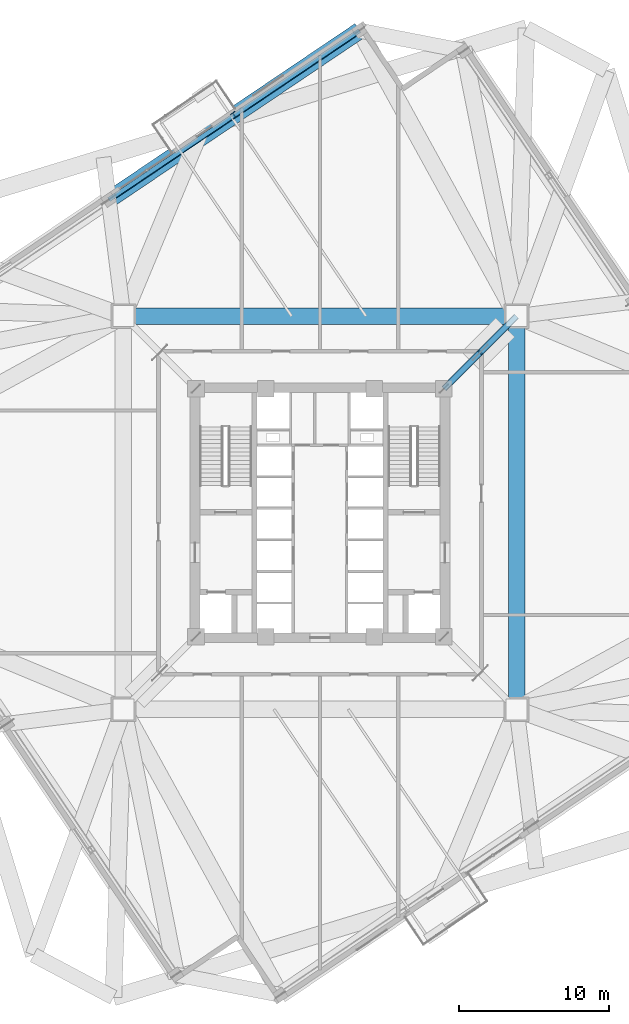
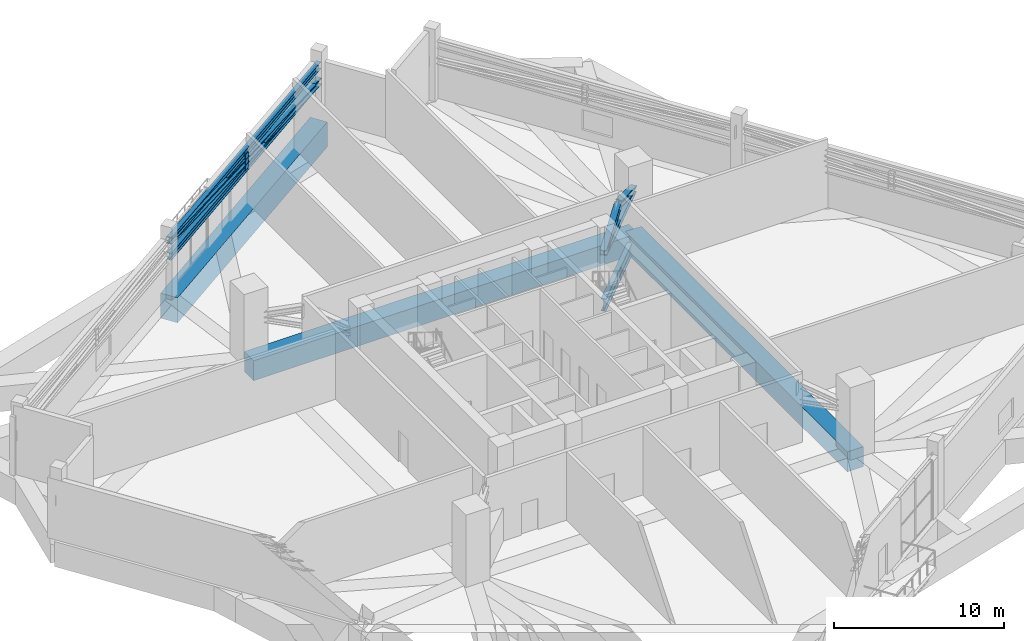
# One storey, part 9 of 21: 7 members, 4 beams.
"""IFC4 building model written with IfcOpenShell, lengths in metres."""

from ifc_helpers import new_model, si_unit, direction, frame, origin, origin_2d, place, context, subcontext, project, spatial, rectangle, i_section, extrude, source, transform, mapped, material, material_profile, profile_set, type_object, element, save


model = new_model("IFC4")

# Units and contexts
model_context = context("Model", 3, precision=1e-05, world=origin(), true_north=direction((0.0, 1.0)))
body_context = subcontext(model_context, "Body", "Model", "MODEL_VIEW")
ifc_project = project(units=[si_unit("LENGTHUNIT", "METRE"), si_unit("AREAUNIT", "SQUARE_METRE"), si_unit("VOLUMEUNIT", "CUBIC_METRE"), si_unit("PLANEANGLEUNIT", "RADIAN"), si_unit("MASSUNIT", "GRAM", prefix="KILO"), si_unit("THERMODYNAMICTEMPERATUREUNIT", "KELVIN")], contexts=[model_context])

# Site, building, storey
site_placement = place(None, origin())
site = spatial("IfcSite", under=ifc_project, at=site_placement, CompositionType="ELEMENT")
building_placement = place(site_placement, origin())
building = spatial("IfcBuilding", under=site, at=building_placement, Name="Kosmvard Interchange Tower", CompositionType="ELEMENT")
storey_placement = place(building_placement, frame((0.0, 0.0, 139.199951171875)))
storey = spatial("IfcBuildingStorey", under=building, at=storey_placement, Name="L33", CompositionType="ELEMENT", Elevation=139.199951171875)

# Beams
ifc_material_1 = material(Name="Steel S460", Category="steel")
ifc_material_profile_1 = material_profile(ifc_material_1, i_section(OverallWidth=0.30810546875, OverallDepth=0.909912109375, WebThickness=0.02099609375, FlangeThickness=0.0400390625, FilletRadius=0.027099609375, at=origin_2d()), Name="HEM 900")
ifc_profile_set_1 = profile_set([ifc_material_profile_1], Name="Steel S460")
beam_type_1 = type_object("IfcBeamType", Name="Primary Mega-Frame Girder HEM 900 S460", PredefinedType="BEAM", material=ifc_profile_set_1)
shared_shape_1 = source(origin(), body_context, "Body", "SweptSolid", [
    extrude(i_section(OverallWidth=0.30810546875, OverallDepth=0.909912109375, WebThickness=0.02099609375, FlangeThickness=0.0400390625, FilletRadius=0.027099609375, at=origin_2d()), origin(), (0.0, 0.0, 1.0), 6.83203125),
])
beam_1_placement = place(storey_placement, frame((8.25, 8.25, -0.85498046875), z_axis=(0.707106781187, 0.707106781187, 0.0), x_axis=(-0.707106781187, 0.707106781187, 0.0)))
element("IfcBeam", 1, at=beam_1_placement, inside=storey, type_object=beam_type_1, Name="L33 Radial Mega-Frame Girder 3", PredefinedType="BEAM", context=body_context, shape_type="MappedRepresentation", body=[
    mapped(shared_shape_1, transform((0.0, 0.0, 0.0), scale=1.0)),
])
ifc_material_2 = material(Name="Concrete C70/85", Category="concrete")
ifc_material_profile_2 = material_profile(ifc_material_2, rectangle(XDim=1.10009765625, YDim=1.43994140625, at=origin_2d()), Name="TG 1100x1440")
ifc_profile_set_2 = profile_set([ifc_material_profile_2], Name="Concrete C70/85")
beam_type_2 = type_object("IfcBeamType", Name="Mega-Frame Transfer Ring Girder 1100x1440 C70/85", PredefinedType="USERDEFINED", material=ifc_profile_set_2)
shared_shape_2 = source(origin(), body_context, "Body", "SweptSolid", [
    extrude(rectangle(XDim=1.10009765625, YDim=1.43994140625, at=origin_2d()), origin(), (0.0, 0.0, 1.0), 26.162109375),
])
for number, where, z_axis, x_axis, name in (
    (2, (13.0810546875, -13.0810546875, -0.719970703125), (0.0, 1.0, 0.0), (-1.0, 0.0, 0.0), "L33 Mega-Column Ring Girder 2"),
    (3, (13.0810546875, 13.0810546875, -0.719970703125), (-1.0, 0.0, 0.0), (0.0, -1.0, 0.0), "L33 Mega-Column Ring Girder 3"),
):
    element("IfcBeam", number, at=place(storey_placement, frame(where, z_axis=z_axis, x_axis=x_axis)), inside=storey, type_object=beam_type_2, Name=name, ObjectType="TRANSFER_GIRDER", PredefinedType="USERDEFINED", context=body_context, shape_type="MappedRepresentation", body=[
        mapped(shared_shape_2, transform((0.0, 0.0, 0.0), scale=1.0)),
    ])

# Members
ifc_material_profile_3 = material_profile(ifc_material_1, i_section(OverallWidth=0.40087890625, OverallDepth=0.39892578125, WebThickness=0.0185546875, FlangeThickness=0.028076171875, FilletRadius=0.014892578125, at=origin_2d()), Name="HD 400x314")
ifc_profile_set_3 = profile_set([ifc_material_profile_3], Name="Steel S460")
member_type_1 = type_object("IfcMemberType", Name="Outrigger Top and Bottom Chord HD 400x314 S460", PredefinedType="CHORD", material=ifc_profile_set_3)
shared_shape_3 = source(origin(), body_context, "Body", "SweptSolid", [
    extrude(i_section(OverallWidth=0.40087890625, OverallDepth=0.39892578125, WebThickness=0.0185546875, FlangeThickness=0.028076171875, FilletRadius=0.014892578125, at=origin_2d()), origin(), (0.0, 0.0, 1.0), 6.83203125),
])
member_1_placement = place(storey_placement, frame((8.25, 8.25, 2.920166015625), z_axis=(0.707106781187, 0.707106781187, 0.0), x_axis=(-0.707106781187, 0.707106781187, 0.0)))
element("IfcMember", 4, at=member_1_placement, inside=storey, type_object=member_type_1, Name="L33 Outrigger Bottom Chord 3", PredefinedType="CHORD", context=body_context, shape_type="MappedRepresentation", body=[
    mapped(shared_shape_3, transform((0.0, 0.0, 0.0), scale=1.0)),
])
ifc_material_profile_4 = material_profile(ifc_material_1, i_section(OverallWidth=0.3759765625, OverallDepth=0.386962890625, WebThickness=0.01953125, FlangeThickness=0.031982421875, FilletRadius=0.014892578125, at=origin_2d()), Name="HD 360x329")
ifc_profile_set_4 = profile_set([ifc_material_profile_4], Name="Steel S460")
member_type_2 = type_object("IfcMemberType", Name="Belt Truss Vertical Post HD 360x329 S460", PredefinedType="STUD", material=ifc_profile_set_4)
shared_shape_4 = source(origin(), body_context, "Body", "SweptSolid", [
    extrude(i_section(OverallWidth=0.3759765625, OverallDepth=0.386962890625, WebThickness=0.01953125, FlangeThickness=0.031982421875, FilletRadius=0.014892578125, at=origin_2d()), origin(), (0.0, 0.0, 1.0), 1.139892578125),
])
member_2_placement = place(storey_placement, frame((-5.70751953125, 26.45654296875, 2.820068359375), z_axis=(0.0, 0.0, 1.0), x_axis=(0.829037572555, 0.559192903471, 0.0)))
element("IfcMember", 5, at=member_2_placement, inside=storey, type_object=member_type_2, Name="L33 Belt Truss Post N1", PredefinedType="STUD", context=body_context, shape_type="MappedRepresentation", body=[
    mapped(shared_shape_4, transform((0.0, 0.0, 0.0), scale=1.0)),
])

# Beam
ifc_material_3 = material(Name="Concrete C60/75", Category="concrete")
ifc_material_profile_5 = material_profile(ifc_material_3, rectangle(XDim=1.1201171875, YDim=1.800048828125, at=origin_2d()), Name="TG 1120x1800")
ifc_profile_set_5 = profile_set([ifc_material_profile_5], Name="Concrete C60/75")
beam_type_3 = type_object("IfcBeamType", Name="Zone Long-Span Transfer Girder 1120x1800 C60/75", PredefinedType="USERDEFINED", material=ifc_profile_set_5)
shared_shape_5 = source(origin(), body_context, "Body", "SweptSolid", [
    extrude(rectangle(XDim=1.1201171875, YDim=1.800048828125, at=origin_2d()), origin(), (0.0, 0.0, 1.0), 20.125),
])
beam_2_placement = place(storey_placement, frame((2.634765625, 32.083251953125, -0.89990234375), z_axis=(-0.82904270175, -0.559185299051, 0.0), x_axis=(0.559185299051, -0.82904270175, 0.0)))
element("IfcBeam", 6, at=beam_2_placement, inside=storey, type_object=beam_type_3, Name="BM-L33-PR07", ObjectType="TRANSFER_GIRDER", PredefinedType="USERDEFINED", context=body_context, shape_type="MappedRepresentation", body=[
    mapped(shared_shape_5, transform((0.0, 0.0, 0.0), scale=1.0)),
])

# Members
ifc_material_profile_6 = material_profile(ifc_material_1, i_section(OverallWidth=0.408935546875, OverallDepth=0.425048828125, WebThickness=0.02392578125, FlangeThickness=0.0390625, FilletRadius=0.014892578125, at=origin_2d()), Name="HD 400x421")
ifc_profile_set_6 = profile_set([ifc_material_profile_6], Name="Steel S460")
member_type_3 = type_object("IfcMemberType", Name="Radial Outrigger Diagonal HD 400x421 S460", PredefinedType="BRACE", material=ifc_profile_set_6)
shared_shape_6 = source(origin(), body_context, "Body", "SweptSolid", [
    extrude(i_section(OverallWidth=0.408935546875, OverallDepth=0.425048828125, WebThickness=0.02392578125, FlangeThickness=0.0390625, FilletRadius=0.014892578125, at=origin_2d()), origin(), (0.0, 0.0, 1.0), 3.62744140625),
])
for number, where, z_axis, x_axis, name in (
    (7, (8.25, 8.25, 2.920166015625), (0.665915478014, 0.665915478014, 0.336322988037), (-0.707106781187, 0.707106781187, 0.0), "L33 Outrigger Diagonal 3A"),
    (8, (10.66552734375, 10.66552734375, 4.14013671875), (0.665915478014, 0.665915478014, -0.336322988037), (-0.707106781187, 0.707106781187, 0.0), "L33 Outrigger Diagonal 3B"),
):
    element("IfcMember", number, at=place(storey_placement, frame(where, z_axis=z_axis, x_axis=x_axis)), inside=storey, type_object=member_type_3, Name=name, PredefinedType="BRACE", context=body_context, shape_type="MappedRepresentation", body=[
        mapped(shared_shape_6, transform((0.0, 0.0, 0.0), scale=1.0)),
    ])
ifc_material_profile_7 = material_profile(ifc_material_1, i_section(OverallWidth=0.300048828125, OverallDepth=0.5, WebThickness=0.014404296875, FlangeThickness=0.028076171875, FilletRadius=0.027099609375, at=origin_2d()), Name="HEB 500")
ifc_profile_set_7 = profile_set([ifc_material_profile_7], Name="Steel S460")
member_type_4 = type_object("IfcMemberType", Name="Belt Truss Chord HEB 500 S460", PredefinedType="CHORD", material=ifc_profile_set_7)
shared_shape_7 = source(origin(), body_context, "Body", "SweptSolid", [
    extrude(i_section(OverallWidth=0.300048828125, OverallDepth=0.5, WebThickness=0.014404296875, FlangeThickness=0.028076171875, FilletRadius=0.027099609375, at=origin_2d()), origin(), (0.0, 0.0, 1.0), 20.125),
])
for number, where, z_axis, x_axis, name in (
    (9, (2.634765625, 32.083251953125, 2.820068359375), (-0.82904270175, -0.559185299051, 0.0), (0.559185299051, -0.82904270175, 0.0), "L33 Belt Truss Bottom Chord N1"),
    (10, (2.634765625, 32.083251953125, 3.9599609375), (-0.82904270175, -0.559185299051, 0.0), (0.559185299051, -0.82904270175, 0.0), "L33 Belt Truss Top Chord N1"),
):
    element("IfcMember", number, at=place(storey_placement, frame(where, z_axis=z_axis, x_axis=x_axis)), inside=storey, type_object=member_type_4, Name=name, PredefinedType="CHORD", context=body_context, shape_type="MappedRepresentation", body=[
        mapped(shared_shape_7, transform((0.0, 0.0, 0.0), scale=1.0)),
    ])
ifc_material_profile_8 = material_profile(ifc_material_1, i_section(OverallWidth=0.406005859375, OverallDepth=0.416015625, WebThickness=0.021484375, FlangeThickness=0.034912109375, FilletRadius=0.014892578125, at=origin_2d()), Name="HD 400x382")
ifc_profile_set_8 = profile_set([ifc_material_profile_8], Name="Steel S460")
member_type_5 = type_object("IfcMemberType", Name="Perimeter Belt Truss Diagonal HD 400x382 S460", PredefinedType="BRACE", material=ifc_profile_set_8)
shared_shape_8 = source(origin(), body_context, "Body", "SweptSolid", [
    extrude(i_section(OverallWidth=0.406005859375, OverallDepth=0.416015625, WebThickness=0.021484375, FlangeThickness=0.034912109375, FilletRadius=0.014892578125, at=origin_2d()), origin(), (0.0, 0.0, 1.0), 20.157470703125),
])
member_3_placement = place(storey_placement, frame((2.634765625, 32.083251953125, 2.820068359375), z_axis=(-0.827716055652, -0.558290482664, 0.056549696574), x_axis=(0.559185299051, -0.82904270175, 0.0)))
element("IfcMember", 11, at=member_3_placement, inside=storey, type_object=member_type_5, Name="L33 Belt Truss Diagonal N1", PredefinedType="BRACE", context=body_context, shape_type="MappedRepresentation", body=[
    mapped(shared_shape_8, transform((0.0, 0.0, 0.0), scale=1.0)),
])

save(model, "model.ifc")
